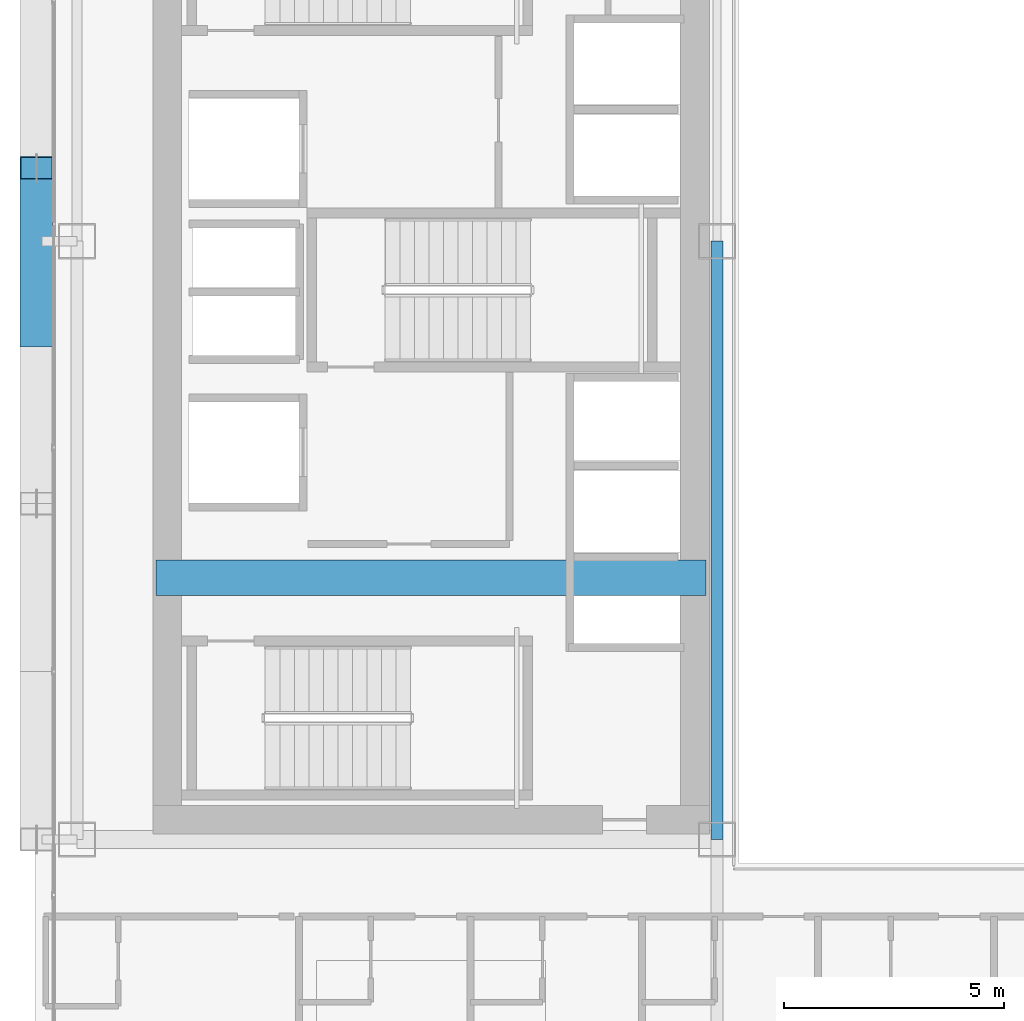
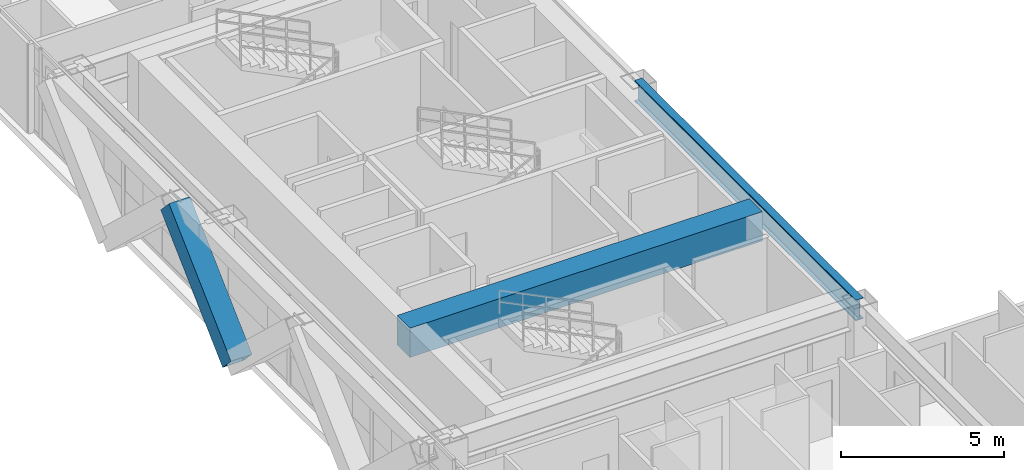
# One storey, part 7 of 36: 2 beams, 1 member.
"""IFC4 building model written with IfcOpenShell, lengths in metres."""

from ifc_helpers import new_model, si_unit, direction, frame, origin, origin_2d, place, context, subcontext, project, spatial, rectangle, hollow_rectangle, i_section, extrude, source, transform, mapped, material, material_profile, profile_set, type_object, element, save


model = new_model("IFC4")

# Units and contexts
model_context = context("Model", 3, precision=1e-05, world=origin(), true_north=direction((0.0, 1.0)))
body_context = subcontext(model_context, "Body", "Model", "MODEL_VIEW")
ifc_project = project(units=[si_unit("LENGTHUNIT", "METRE"), si_unit("AREAUNIT", "SQUARE_METRE"), si_unit("VOLUMEUNIT", "CUBIC_METRE"), si_unit("PLANEANGLEUNIT", "RADIAN"), si_unit("MASSUNIT", "GRAM", prefix="KILO")], contexts=[model_context])

# Site, building, storey
site_placement = place(None, origin())
site = spatial("IfcSite", under=ifc_project, at=site_placement, CompositionType="ELEMENT")
building_placement = place(site_placement, origin())
building = spatial("IfcBuilding", under=site, at=building_placement, Name="Ocotamira Hotel", CompositionType="ELEMENT")
storey_placement = place(building_placement, frame((0.0, 0.0, 129.60009765625)))
storey = spatial("IfcBuildingStorey", under=building, at=storey_placement, Name="L32", CompositionType="ELEMENT", Elevation=129.60009765625)

# Beams
ifc_material_1 = material(Name="Concrete C60/75", Category="concrete")
ifc_material_profile_1 = material_profile(ifc_material_1, rectangle(XDim=0.800048828125, YDim=1.10009765625, at=origin_2d()), Name="RC800X1100")
ifc_profile_set_1 = profile_set([ifc_material_profile_1], Name="Concrete C60/75")
beam_type_1 = type_object("IfcBeamType", Name="BM-LINK-RC800", PredefinedType="LINTEL", material=ifc_profile_set_1)
shared_shape_1 = source(origin(), body_context, "Body", "SweptSolid", [
    extrude(rectangle(XDim=0.800048828125, YDim=1.10009765625, at=origin_2d()), origin(), (0.0, 0.0, 1.0), 12.5),
])
beam_1_placement = place(storey_placement, frame((10.75, 20.5, 2.809814453125), z_axis=(1.0, 0.0, 0.0), x_axis=(0.0, 1.0, 0.0)))
element("IfcBeam", 1, at=beam_1_placement, inside=storey, type_object=beam_type_1, Name="L32 West Core Coupling Beam", PredefinedType="LINTEL", context=body_context, shape_type="MappedRepresentation", body=[
    mapped(shared_shape_1, transform((0.0, 0.0, 0.0), scale=1.0)),
])
ifc_material_2 = material(Name="Steel ASTM A992 Grade 50", Category="steel")
ifc_material_profile_2 = material_profile(ifc_material_2, i_section(OverallWidth=0.26611328125, OverallDepth=0.779052734375, WebThickness=0.0166015625, FlangeThickness=0.030029296875, FilletRadius=0.01806640625, at=origin_2d()), Name="W30X148")
ifc_profile_set_2 = profile_set([ifc_material_profile_2], Name="Steel ASTM A992 Grade 50")
beam_type_2 = type_object("IfcBeamType", Name="BM-GIRD-W30X148", PredefinedType="BEAM", material=ifc_profile_set_2)
shared_shape_2 = source(origin(), body_context, "Body", "SweptSolid", [
    extrude(i_section(OverallWidth=0.26611328125, OverallDepth=0.779052734375, WebThickness=0.0166015625, FlangeThickness=0.030029296875, FilletRadius=0.01806640625, at=origin_2d()), origin(), (0.0, 0.0, 1.0), 13.599853515625),
])
beam_2_placement = place(storey_placement, frame((23.5, 14.550048828125, 2.970458984375), z_axis=(0.0, 1.0, 0.0), x_axis=(-1.0, 0.0, 0.0)))
element("IfcBeam", 2, at=beam_2_placement, inside=storey, type_object=beam_type_2, Name="L32 Beam X23.5 Y14.55-28.15", PredefinedType="BEAM", context=body_context, shape_type="MappedRepresentation", body=[
    mapped(shared_shape_2, transform((0.0, 0.0, 0.0), scale=1.0)),
])

# Member
ifc_material_3 = material(Name="Pale-metal coated steel ASTM A913 Grade 65", Category="steel")
ifc_material_profile_3 = material_profile(ifc_material_3, hollow_rectangle(XDim=0.75, YDim=0.75, WallThickness=0.028076171875, at=origin_2d()), Name="BOX750X750X28")
ifc_profile_set_3 = profile_set([ifc_material_profile_3], Name="Pale-metal coated steel ASTM A913 Grade 65")
member_type = type_object("IfcMemberType", Name="MEM-EXO-BOX750", PredefinedType="BRACE", material=ifc_profile_set_3)
shared_shape_3 = source(origin(), body_context, "Body", "SweptSolid", [
    extrude(hollow_rectangle(XDim=0.75, YDim=0.75, WallThickness=0.028076171875, at=origin_2d()), origin(), (0.0, 0.0, 1.0), 5.24658203125),
])
member_placement = place(storey_placement, frame((8.030029296875, 26.0, -0.489990234375), z_axis=(0.0, 0.72746596067, 0.686143772154), x_axis=(-1.0, 0.0, 0.0)))
element("IfcMember", 3, at=member_placement, inside=storey, type_object=member_type, Name="L32 Exoskeleton Diagrid W1.2", PredefinedType="BRACE", context=body_context, shape_type="MappedRepresentation", body=[
    mapped(shared_shape_3, transform((0.0, 0.0, 0.0), scale=1.0)),
])

save(model, "model.ifc")
